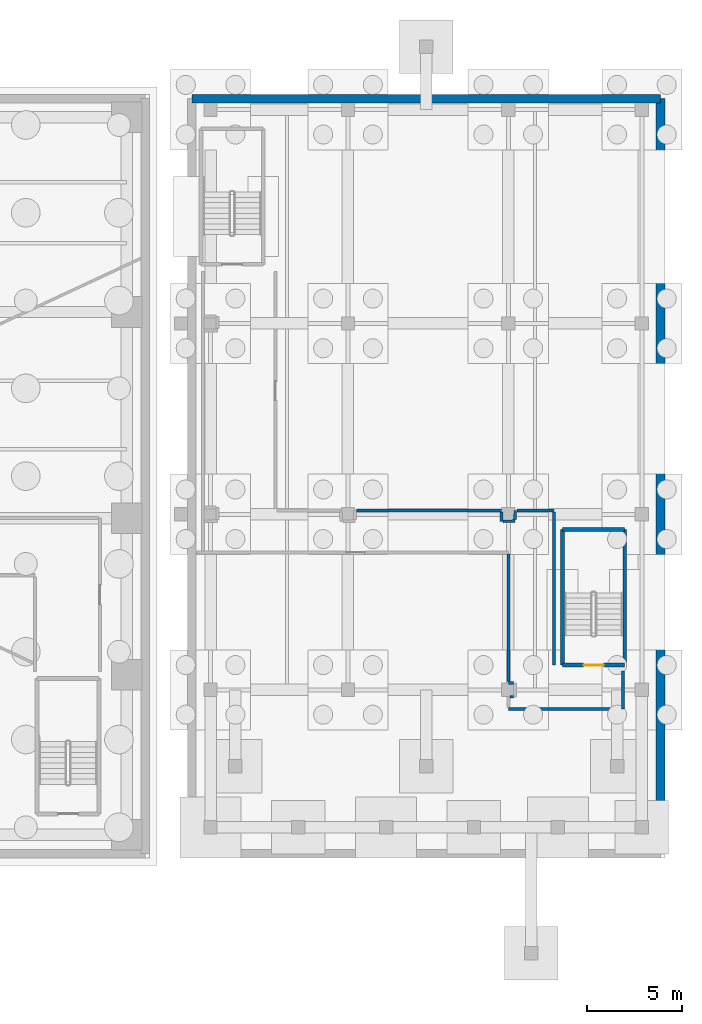
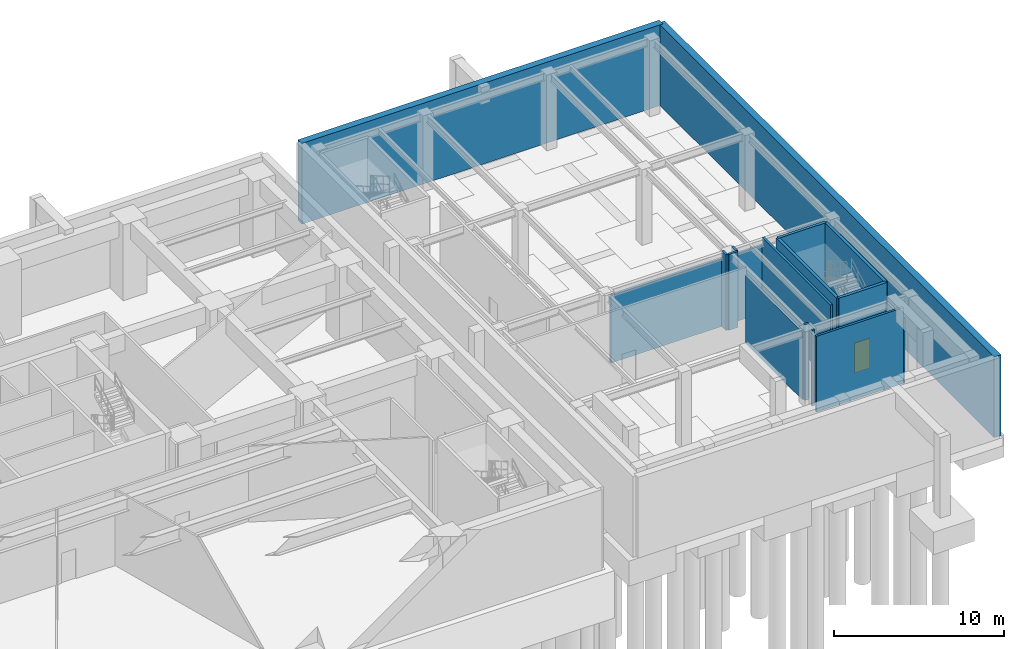
# One storey, part 8 of 15: 17 walls, 1 door, 1 opening.
"""IFC4 building model written with IfcOpenShell, lengths in metres."""

from ifc_helpers import new_model, si_unit, direction, frame, frame_2d, origin, place, context, subcontext, project, spatial, rectangle, extrude, source, transform, mapped, material, layer, layer_set, type_object, type_shapes, element, fill, save


model = new_model("IFC4")

# Units and contexts
model_context = context("Model", 3, precision=1e-05, world=origin(), true_north=direction((0.0, 1.0)))
body_context = subcontext(model_context, "Body", "Model", "MODEL_VIEW")
ifc_project = project(units=[si_unit("LENGTHUNIT", "METRE"), si_unit("AREAUNIT", "SQUARE_METRE"), si_unit("VOLUMEUNIT", "CUBIC_METRE"), si_unit("PLANEANGLEUNIT", "RADIAN"), si_unit("MASSUNIT", "GRAM", prefix="KILO")], contexts=[model_context])

# Site, building, storey
site_placement = place(None, origin())
site = spatial("IfcSite", under=ifc_project, at=site_placement, CompositionType="ELEMENT")
building_placement = place(site_placement, origin())
building = spatial("IfcBuilding", under=site, at=building_placement, Name="Talar Marvaseh", CompositionType="ELEMENT")
storey_placement = place(building_placement, frame((0.0, 0.0, -11.60009765625)))
storey = spatial("IfcBuildingStorey", under=building, at=storey_placement, Name="B02", CompositionType="ELEMENT", Elevation=-11.60009765625)

# Walls
ifc_material_1 = material(Name="Concrete C50/60", Category="concrete")
ifc_layer_1 = layer(ifc_material_1, 0.449951171875)
ifc_layer_set_1 = layer_set([ifc_layer_1], Name="Concrete C50/60")
wall_type_1 = type_object("IfcWallType", Name="Basement Perimeter Waterproof Retaining Wall 450", PredefinedType="SHEAR", material=ifc_layer_set_1)
wall_1_placement = place(storey_placement, frame((54.22509765625, 47.77490234375, 0.0), z_axis=(0.0, 0.0, 1.0), x_axis=(1.0, 0.0, 0.0)))
element("IfcWall", 1, at=wall_1_placement, inside=storey, type_object=wall_type_1, Name="B02 Basement Retaining Wall", PredefinedType="SHEAR", context=body_context, shape_type="SweptSolid", body=[
    extrude(rectangle(XDim=24.5498046875, YDim=0.449951171875, at=frame_2d((12.27490234375, 0.0))), origin(), (0.0, 0.0, 1.0), 5.800048828125),
])
wall_2_placement = place(storey_placement, frame((78.77490234375, 47.77490234375, 0.0), z_axis=(0.0, 0.0, 1.0), x_axis=(0.0, -1.0, 0.0)))
element("IfcWall", 2, at=wall_2_placement, inside=storey, type_object=wall_type_1, Name="B02 Basement Retaining Wall", PredefinedType="SHEAR", context=body_context, shape_type="SweptSolid", body=[
    extrude(rectangle(XDim=39.5498046875, YDim=0.449951171875, at=frame_2d((19.77490234375, 0.0))), origin(), (0.0, 0.0, 1.0), 5.800048828125),
])
ifc_material_2 = material(Name="Gypsum Board Partition Assembly")
ifc_layer_2 = layer(ifc_material_2, 0.155029296875)
ifc_layer_set_2 = layer_set([ifc_layer_2], Name="Gypsum Board Partition Assembly")
wall_type_2 = type_object("IfcWallType", Name="Corridor Fire-Rated Acoustic Partition 155", PredefinedType="PARTITIONING", material=ifc_layer_set_2)
wall_3_placement = place(storey_placement, frame((71.07958984375, 17.158935546875, 0.0), z_axis=(0.0, 0.0, 1.0), x_axis=(-0.999761722079, 0.021828858561, 0.0)))
element("IfcWall", 3, at=wall_3_placement, inside=storey, type_object=wall_type_2, Name="B02 Interior Partition Wall", PredefinedType="PARTITIONING", context=body_context, shape_type="SweptSolid", body=[
    extrude(rectangle(XDim=0.279541015625, YDim=0.155029296875, at=frame_2d((0.1396484375, 0.0))), origin(), (0.0, 0.0, 1.0), 5.440185546875),
])
wall_4_placement = place(storey_placement, frame((70.800048828125, 17.24853515625, 0.0), z_axis=(0.0, 0.0, 1.0), x_axis=(0.0, 1.0, 0.0)))
element("IfcWall", 4, at=wall_4_placement, inside=storey, type_object=wall_type_2, Name="B02 Interior Partition Wall", PredefinedType="PARTITIONING", context=body_context, shape_type="SweptSolid", body=[
    extrude(rectangle(XDim=6.66796875, YDim=0.155029296875, at=frame_2d((3.333984375, 0.0))), origin(), (0.0, 0.0, 1.0), 4.87109375),
])
wall_5_placement = place(storey_placement, frame((62.848388671875, 26.199951171875, 0.0), z_axis=(0.0, 0.0, 1.0), x_axis=(1.0, 0.0, 0.0)))
element("IfcWall", 5, at=wall_5_placement, inside=storey, type_object=wall_type_2, Name="B02 Interior Partition Wall", PredefinedType="PARTITIONING", context=body_context, shape_type="SweptSolid", body=[
    extrude(rectangle(XDim=7.586669921875, YDim=0.155029296875, at=frame_2d((3.79345703125, 0.0))), origin(), (0.0, 0.0, 1.0), 4.87109375),
])
wall_6_placement = place(storey_placement, frame((70.437255859375, 26.116455078125, 0.0), z_axis=(0.0, 0.0, 1.0), x_axis=(0.026360005458, -0.999652514683, 0.0)))
element("IfcWall", 6, at=wall_6_placement, inside=storey, type_object=wall_type_2, Name="B02 Interior Partition Wall", PredefinedType="PARTITIONING", context=body_context, shape_type="SweptSolid", body=[
    extrude(rectangle(XDim=0.481689453125, YDim=0.155029296875, at=frame_2d((0.24072265625, 0.0))), origin(), (0.0, 0.0, 1.0), 5.440185546875),
])
wall_7_placement = place(storey_placement, frame((70.533447265625, 25.635498046875, 0.0), z_axis=(0.0, 0.0, 1.0), x_axis=(0.999989048104, 0.004680135951, 0.0)))
element("IfcWall", 7, at=wall_7_placement, inside=storey, type_object=wall_type_2, Name="B02 Interior Partition Wall", PredefinedType="PARTITIONING", context=body_context, shape_type="SweptSolid", body=[
    extrude(rectangle(XDim=0.6259765625, YDim=0.155029296875, at=frame_2d((0.31298828125, 0.0))), origin(), (0.0, 0.0, 1.0), 5.440185546875),
])
wall_8_placement = place(storey_placement, frame((71.160400390625, 25.721923828125, 0.0), z_axis=(0.0, 0.0, 1.0), x_axis=(0.009703322529, 0.999952921658, 0.0)))
element("IfcWall", 8, at=wall_8_placement, inside=storey, type_object=wall_type_2, Name="B02 Interior Partition Wall", PredefinedType="PARTITIONING", context=body_context, shape_type="SweptSolid", body=[
    extrude(rectangle(XDim=0.47802734375, YDim=0.155029296875, at=frame_2d((0.239013671875, 0.0))), origin(), (0.0, 0.0, 1.0), 5.440185546875),
])
wall_9_placement = place(storey_placement, frame((71.24853515625, 26.199951171875, 0.0), z_axis=(0.0, 0.0, 1.0), x_axis=(1.0, 0.0, 0.0)))
element("IfcWall", 9, at=wall_9_placement, inside=storey, type_object=wall_type_2, Name="B02 Interior Partition Wall", PredefinedType="PARTITIONING", context=body_context, shape_type="SweptSolid", body=[
    extrude(rectangle(XDim=1.951416015625, YDim=0.155029296875, at=frame_2d((0.9755859375, 0.0))), origin(), (0.0, 0.0, 1.0), 4.87109375),
])
wall_10_placement = place(storey_placement, frame((73.199951171875, 26.116455078125, 0.0), z_axis=(0.0, 0.0, 1.0), x_axis=(0.0, -1.0, 0.0)))
element("IfcWall", 10, at=wall_10_placement, inside=storey, type_object=wall_type_2, Name="B02 Interior Partition Wall", PredefinedType="PARTITIONING", context=body_context, shape_type="SweptSolid", body=[
    extrude(rectangle(XDim=8.016357421875, YDim=0.155029296875, at=frame_2d((4.00830078125, 0.0))), origin(), (0.0, 0.0, 1.0), 5.440185546875),
])
wall_11_placement = place(storey_placement, frame((76.800048828125, 17.780029296875, 0.0), z_axis=(0.0, 0.0, 1.0), x_axis=(0.0, -1.0, 0.0)))
element("IfcWall", 11, at=wall_11_placement, inside=storey, type_object=wall_type_2, Name="B02 Interior Partition Wall", PredefinedType="PARTITIONING", context=body_context, shape_type="SweptSolid", body=[
    extrude(rectangle(XDim=1.97998046875, YDim=0.155029296875, at=frame_2d((0.989990234375, 0.0))), origin(), (0.0, 0.0, 1.0), 4.5751953125),
])
wall_12_placement = place(storey_placement, frame((76.716552734375, 15.800048828125, 0.0), z_axis=(0.0, 0.0, 1.0), x_axis=(-1.0, 0.0, 0.0)))
element("IfcWall", 12, at=wall_12_placement, inside=storey, type_object=wall_type_2, Name="B02 Interior Partition Wall", PredefinedType="PARTITIONING", context=body_context, shape_type="SweptSolid", body=[
    extrude(rectangle(XDim=5.91650390625, YDim=0.155029296875, at=frame_2d((2.958251953125, 0.0))), origin(), (0.0, 0.0, 1.0), 5.440185546875),
])
ifc_layer_3 = layer(ifc_material_2, 0.1201171875)
ifc_layer_set_3 = layer_set([ifc_layer_3], Name="Gypsum Board Partition Assembly")
wall_type_3 = type_object("IfcWallType", Name="Demountable Studio Room Partition 120", PredefinedType="PARTITIONING", material=ifc_layer_set_3)
wall_13_placement = place(storey_placement, frame((70.883544921875, 16.43505859375, 0.0), z_axis=(0.0, 0.0, 1.0), x_axis=(1.0, 0.0, 0.0)))
element("IfcWall", 13, at=wall_13_placement, inside=storey, type_object=wall_type_3, Name="B02 Interior Partition Wall", PredefinedType="PARTITIONING", context=body_context, shape_type="SweptSolid", body=[
    extrude(rectangle(XDim=0.182861328125, YDim=0.1201171875, at=frame_2d((0.09130859375, 0.0))), origin(), (0.0, 0.0, 1.0), 5.440185546875),
])

# Wall, opening, door
ifc_layer_4 = layer(ifc_material_1, 0.199951171875)
ifc_layer_set_4 = layer_set([ifc_layer_4], Name="Concrete C50/60")
wall_type_4 = type_object("IfcWallType", Name="Stair Shaft Structural Concrete Shear Wall 200", PredefinedType="SHEAR", material=ifc_layer_set_4)
wall_14_placement = place(storey_placement, frame((76.89990234375, 18.10009765625, 0.0), z_axis=(0.0, 0.0, 1.0), x_axis=(-1.0, 0.0, 0.0)))
wall_14 = element("IfcWall", 14, at=wall_14_placement, inside=storey, type_object=wall_type_4, Name="B02 MH-ST2 South Shear Wall", PredefinedType="SHEAR", context=body_context, shape_type="SweptSolid", body=[
    extrude(rectangle(XDim=3.260009765625, YDim=0.199951171875, at=frame_2d((1.6298828125, 0.0))), origin(), (0.0, 0.0, 1.0), 5.800048828125),
])
opening_placement = place(wall_14_placement, frame((1.10009765625, 0.0, 0.0)))
opening = element("IfcOpeningElement", 15, at=opening_placement, cuts=wall_14, Name="Opening DR-ST105", PredefinedType="OPENING", context=body_context, shape_type="SweptSolid", body=[
    extrude(rectangle(XDim=1.050048828125, YDim=2.14990234375, at=frame_2d((0.52490234375, 1.074951171875))), frame((0.0, 0.10986328125, 0.0), z_axis=(0.0, -1.0, 0.0), x_axis=(1.0, 0.0, 0.0)), (0.0, 0.0, 1.0), 0.219970703125),
])
ifc_material_3 = material(Name="Fire-Rated Steel Door Leaf", Category="steel")
door_type = type_object("IfcDoorType", Name="Protected Exit Stair Fire Door 1050x2150", OperationType="NOTDEFINED", PredefinedType="DOOR", material=ifc_material_3)
shared_shape = source(origin(), body_context, "Body", "SweptSolid", [
    extrude(rectangle(XDim=1.050048828125, YDim=2.14990234375, at=frame_2d((0.52490234375, 1.074951171875))), frame((0.0, 0.02490234375, 0.0), z_axis=(0.0, -1.0, 0.0), x_axis=(1.0, 0.0, 0.0)), (0.0, 0.0, 1.0), 0.050048828125),
])
type_shapes(door_type, [shared_shape])
door_placement = place(opening_placement, origin())
door = element("IfcDoor", 16, at=door_placement, inside=storey, type_object=door_type, Name="B02 MH-ST2 Exit Door", OperationType="SINGLE_SWING_LEFT", OverallHeight=2.14990234375, OverallWidth=1.050048828125, PredefinedType="DOOR", context=body_context, shape_type="MappedRepresentation", body=[
    mapped(shared_shape, transform((0.0, 0.0, 0.0), x_axis=(1.0, 0.0, 0.0), y_axis=(0.0, 1.0, 0.0), z_axis=(0.0, 0.0, 1.0), scale=1.0)),
])
fill(opening, door)

# Walls
wall_15_placement = place(storey_placement, frame((73.639892578125, 25.199951171875, 0.0), z_axis=(0.0, 0.0, 1.0), x_axis=(1.0, 0.0, 0.0)))
element("IfcWall", 17, at=wall_15_placement, inside=storey, type_object=wall_type_4, Name="B02 MH-ST2 North Shear Wall", PredefinedType="SHEAR", context=body_context, shape_type="SweptSolid", body=[
    extrude(rectangle(XDim=3.260009765625, YDim=0.199951171875, at=frame_2d((1.6298828125, 0.0))), origin(), (0.0, 0.0, 1.0), 5.800048828125),
])
for number, where, z_axis, x_axis, name in (
    (18, (73.639892578125, 18.10009765625, 0.0), (0.0, 0.0, 1.0), (0.0, 1.0, 0.0), "B02 MH-ST2 West Shear Wall"),
    (19, (76.89990234375, 18.10009765625, 0.0), (0.0, 0.0, 1.0), (0.0, 1.0, 0.0), "B02 MH-ST2 East Shear Wall"),
):
    element("IfcWall", number, at=place(storey_placement, frame(where, z_axis=z_axis, x_axis=x_axis)), inside=storey, type_object=wall_type_4, Name=name, PredefinedType="SHEAR", context=body_context, shape_type="SweptSolid", body=[
        extrude(rectangle(XDim=7.099853515625, YDim=0.199951171875, at=frame_2d((3.5498046875, 0.0))), origin(), (0.0, 0.0, 1.0), 5.800048828125),
    ])

save(model, "model.ifc")
